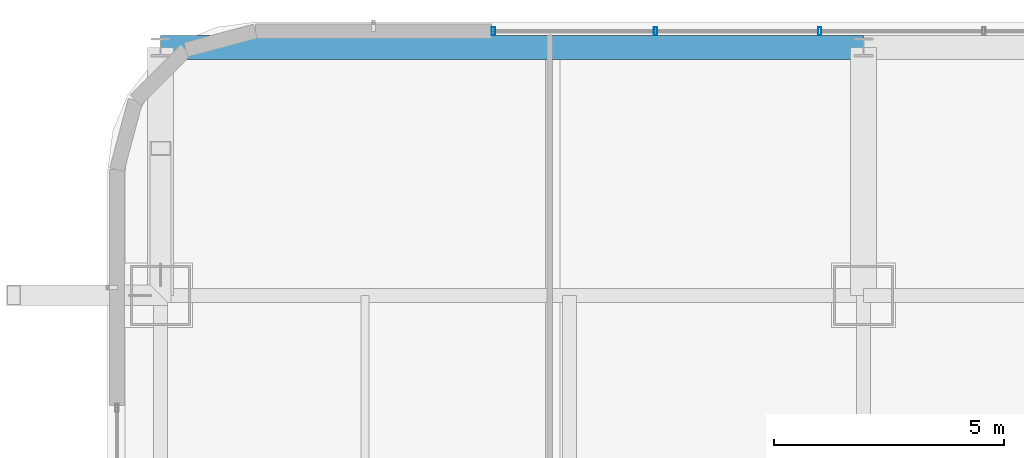
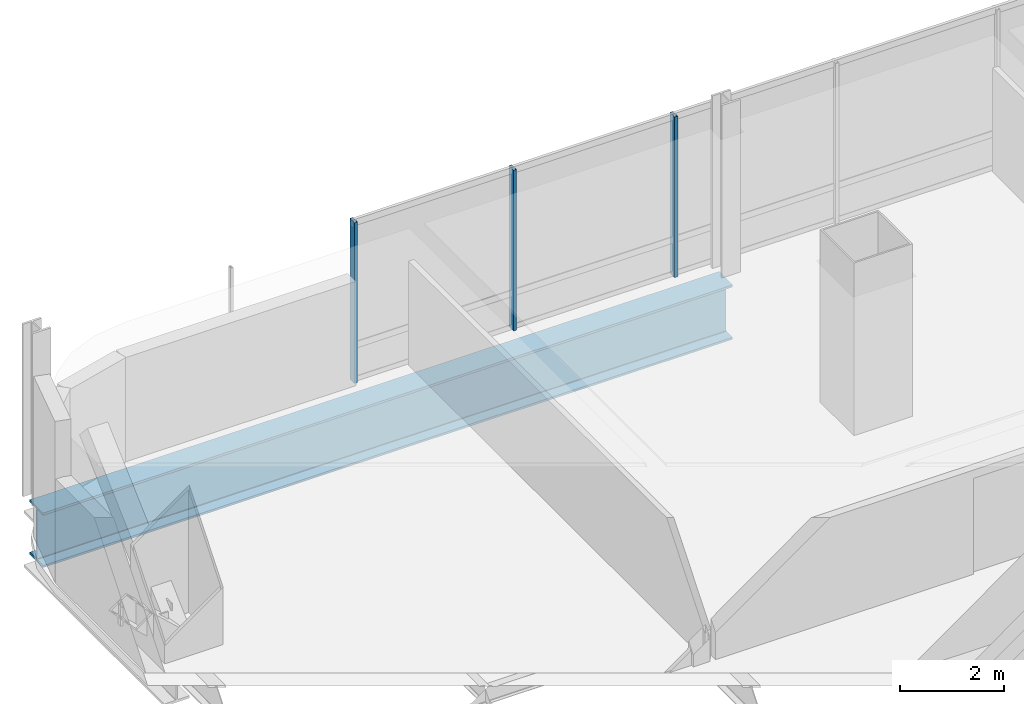
# One storey, part 25 of 51: 3 members, 1 beam, 1 element without a shape of its own.
"""IFC4 building model written with IfcOpenShell, lengths in metres."""

from ifc_helpers import new_model, si_unit, direction, frame, origin, origin_2d, place, context, subcontext, project, spatial, hollow_rectangle, i_section, extrude, material, material_profile, profile_set, type_object, element, aggregate, save


model = new_model("IFC4")

# Units and contexts
model_context = context("Model", 3, precision=1e-05, world=origin(), true_north=direction((0.0, 1.0)))
body_context = subcontext(model_context, "Body", "Model", "MODEL_VIEW")
ifc_project = project(units=[si_unit("LENGTHUNIT", "METRE"), si_unit("AREAUNIT", "SQUARE_METRE"), si_unit("VOLUMEUNIT", "CUBIC_METRE"), si_unit("PLANEANGLEUNIT", "RADIAN"), si_unit("MASSUNIT", "GRAM", prefix="KILO")], contexts=[model_context])

# Site, building, storey
site_placement = place(None, origin())
site = spatial("IfcSite", under=ifc_project, at=site_placement, CompositionType="ELEMENT")
building_placement = place(site_placement, origin())
building = spatial("IfcBuilding", under=site, at=building_placement, Name="Punatoya Terracotta Tower", CompositionType="ELEMENT")
storey_placement = place(building_placement, frame((0.0, 0.0, 279.75)))
storey = spatial("IfcBuildingStorey", under=building, at=storey_placement, Name="L66", CompositionType="ELEMENT", Elevation=279.75)

# Beam
ifc_material_1 = material(Name="Steel S460", Category="steel")
ifc_material_profile_1 = material_profile(ifc_material_1, i_section(OverallWidth=0.52001953125, OverallDepth=1.280029296875, WebThickness=0.031982421875, FlangeThickness=0.050048828125, FilletRadius=0.01806640625, at=origin_2d()))
ifc_profile_set_1 = profile_set([ifc_material_profile_1], Name="Steel S460")
beam_type = type_object("IfcBeamType", Name="BM-TG-NCK", PredefinedType="BEAM", material=ifc_profile_set_1)
beam_placement = place(storey_placement, frame((-19.10009765625, 22.89990234375, -0.840087890625), z_axis=(1.0, 0.0, 0.0), x_axis=(0.0, 1.0, 0.0)))
element("IfcBeam", 1, at=beam_placement, inside=storey, type_object=beam_type, Name="BM-L66-PER-N1", PredefinedType="BEAM", context=body_context, shape_type="SweptSolid", body=[
    extrude(i_section(OverallWidth=0.52001953125, OverallDepth=1.280029296875, WebThickness=0.031982421875, FlangeThickness=0.050048828125, FilletRadius=0.01806640625, at=origin_2d()), origin(), (0.0, 0.0, 1.0), 15.300048828125),
])

# Curtain wall, members
ifc_material_2 = material(Name="Aluminium 6063-T6 + Double Low-E Glass", Category="aluminium")
curtain_wall_type = type_object("IfcCurtainWallType", Name="CW-M3", PredefinedType="NOTDEFINED", material=ifc_material_2)
curtain_wall_placement = place(storey_placement, origin())
curtain_wall = element("IfcCurtainWall", 2, at=curtain_wall_placement, inside=storey, type_object=curtain_wall_type, Name="L66 Curtain Wall CW-L66-N09-1", PredefinedType="NOTDEFINED")
ifc_material_3 = material(Name="Aluminium 6063-T6", Category="aluminium")
ifc_material_profile_2 = material_profile(ifc_material_3, hollow_rectangle(XDim=0.070068359375, YDim=0.179931640625, WallThickness=0.00390625, at=origin_2d()))
ifc_profile_set_2 = profile_set([ifc_material_profile_2], Name="Aluminium 6063-T6")
member_type = type_object("IfcMemberType", Name="CW-MUL-M3", PredefinedType="MULLION", material=ifc_profile_set_2)
member_1_placement = place(storey_placement, frame((-4.75, 23.25, 0.0), z_axis=(0.0, 0.0, 1.0), x_axis=(1.0, 0.0, 0.0)))
member_1 = element("IfcMember", 3, at=member_1_placement, type_object=member_type, Name="CW-L66-N09-1 Mullion 06", PredefinedType="MULLION", context=body_context, shape_type="SweptSolid", body=[
    extrude(hollow_rectangle(XDim=0.070068359375, YDim=0.179931640625, WallThickness=0.00390625, at=origin_2d()), origin(), (0.0, 0.0, 1.0), 3.77001953125),
])
member_2_placement = place(storey_placement, frame((-8.324951171875, 23.25, 0.0), z_axis=(0.0, 0.0, 1.0), x_axis=(1.0, 0.0, 0.0)))
member_2 = element("IfcMember", 4, at=member_2_placement, type_object=member_type, Name="CW-L66-N09-1 Mullion 07", PredefinedType="MULLION", context=body_context, shape_type="SweptSolid", body=[
    extrude(hollow_rectangle(XDim=0.070068359375, YDim=0.179931640625, WallThickness=0.00390625, at=origin_2d()), origin(), (0.0, 0.0, 1.0), 3.77001953125),
])
member_3_placement = place(storey_placement, frame((-11.85498046875, 23.25, 0.0), z_axis=(0.0, 0.0, 1.0), x_axis=(1.0, 0.0, 0.0)))
member_3 = element("IfcMember", 5, at=member_3_placement, type_object=member_type, Name="CW-L66-N09-1 Mullion 08", PredefinedType="MULLION", context=body_context, shape_type="SweptSolid", body=[
    extrude(hollow_rectangle(XDim=0.070068359375, YDim=0.179931640625, WallThickness=0.00390625, at=origin_2d()), origin(), (0.0, 0.0, 1.0), 3.77001953125),
])
aggregate(curtain_wall, [member_1, member_2, member_3])

save(model, "model.ifc")
